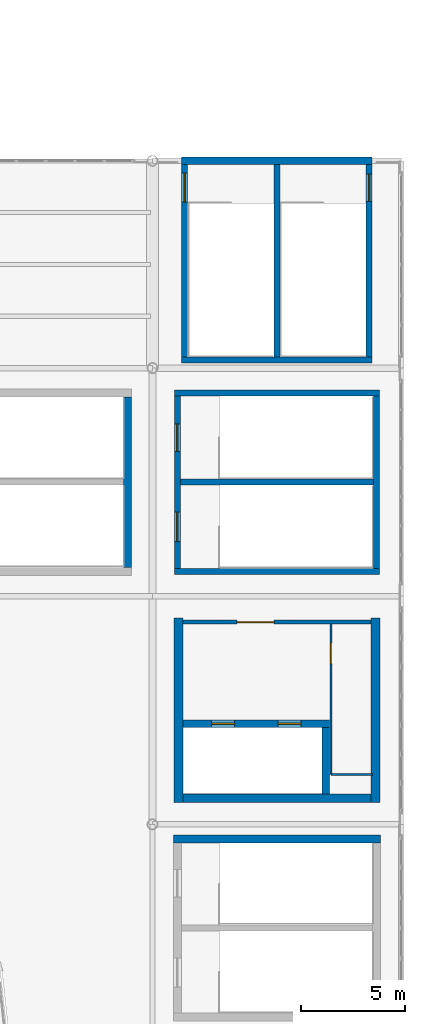
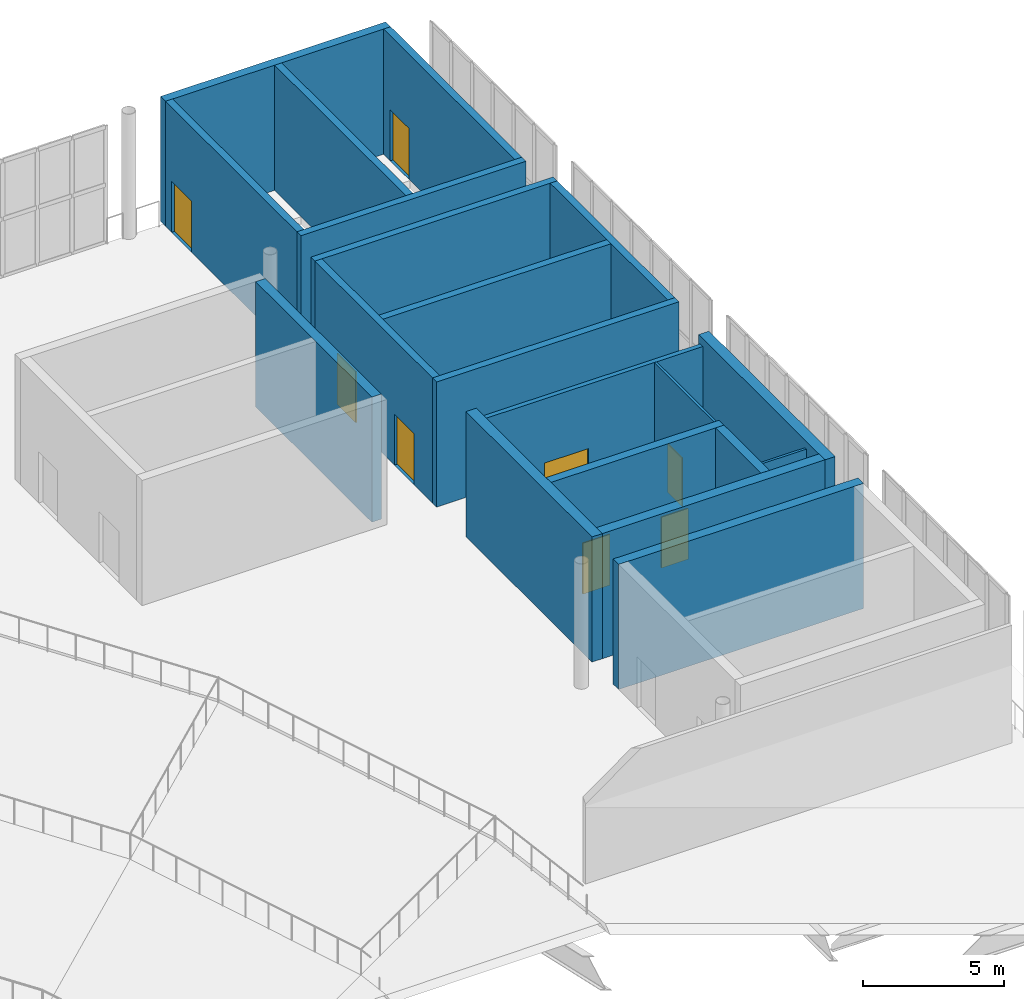
# One storey, part 57 of 74: 20 walls, 8 doors, 8 openings.
"""IFC4 building model written with IfcOpenShell, lengths in metres."""

from ifc_helpers import new_model, si_unit, direction, frame, frame_2d, origin, place, context, subcontext, project, spatial, rectangle, extrude, material, layer, layer_set, type_object, element, fill, save


model = new_model("IFC4")

# Units and contexts
model_context = context("Model", 3, precision=1e-05, world=origin(), true_north=direction((0.0, 1.0)))
body_context = subcontext(model_context, "Body", "Model", "MODEL_VIEW")
ifc_project = project(units=[si_unit("LENGTHUNIT", "METRE"), si_unit("AREAUNIT", "SQUARE_METRE"), si_unit("VOLUMEUNIT", "CUBIC_METRE"), si_unit("PLANEANGLEUNIT", "RADIAN"), si_unit("MASSUNIT", "GRAM", prefix="KILO")], contexts=[model_context])

# Site, building, storey
site_placement = place(None, origin())
site = spatial("IfcSite", under=ifc_project, at=site_placement, CompositionType="ELEMENT")
building_placement = place(site_placement, origin())
building = spatial("IfcBuilding", under=site, at=building_placement, Name="Brinegate Civic Arena", CompositionType="ELEMENT")
storey_placement = place(building_placement, frame((0.0, 0.0, 19.199951171875)))
storey = spatial("IfcBuildingStorey", under=building, at=storey_placement, Name="L04", CompositionType="ELEMENT", Elevation=19.199951171875)

# Wall, openings, doors
ifc_material_1 = material(Name="Concrete C50/60", Category="concrete")
ifc_layer_1 = layer(ifc_material_1, 0.35009765625, Name="Concrete C50/60")
ifc_layer_set_1 = layer_set([ifc_layer_1], Name="Concrete C50/60")
wall_type_1 = type_object("IfcWallType", Name="WALL-CORE-SHEAR-350", PredefinedType="SHEAR", material=ifc_layer_set_1)
wall_1_placement = place(storey_placement, frame((157.4599609375, 86.85009765625, 0.0), z_axis=(0.0, 0.0, 1.0), x_axis=(1.0, 0.0, 0.0)))
wall_1 = element("IfcWall", 1, at=wall_1_placement, inside=storey, type_object=wall_type_1, Name="Core K5 Lift Shaft Front Wall L04 (WBH-75)", PredefinedType="SHEAR", context=body_context, shape_type="SweptSolid", body=[
    extrude(rectangle(XDim=7.06494140625, YDim=0.35009765625, at=frame_2d((3.532470703125, 0.0))), origin(), (0.0, 0.0, 1.0), 5.400146484375),
])
opening_1_placement = place(wall_1_placement, frame((1.389892578125, 0.0, 0.0)))
opening_1 = element("IfcOpeningElement", 2, at=opening_1_placement, cuts=wall_1, Name="Opening LD-PL7-L04", PredefinedType="OPENING", context=body_context, shape_type="SweptSolid", body=[
    extrude(rectangle(XDim=1.10009765625, YDim=2.199951171875, at=frame_2d((0.550048828125, 1.10009765625))), frame((0.0, 0.18505859375, 0.0), z_axis=(0.0, -1.0, 0.0), x_axis=(1.0, 0.0, 0.0)), (0.0, 0.0, 1.0), 0.3701171875),
])
opening_2_placement = place(wall_1_placement, frame((4.590087890625, 0.0, 0.0)))
opening_2 = element("IfcOpeningElement", 3, at=opening_2_placement, cuts=wall_1, Name="Opening LD-PL8-L04", PredefinedType="OPENING", context=body_context, shape_type="SweptSolid", body=[
    extrude(rectangle(XDim=1.10009765625, YDim=2.199951171875, at=frame_2d((0.550048828125, 1.10009765625))), frame((0.0, 0.18505859375, 0.0), z_axis=(0.0, -1.0, 0.0), x_axis=(1.0, 0.0, 0.0)), (0.0, 0.0, 1.0), 0.3701171875),
])
ifc_material_2 = material(Name="Architectural stainless steel balustrade", Category="steel")
door_type_1 = type_object("IfcDoorType", Name="DOOR-LIFT-1100X2200", OperationType="SLIDING_TO_LEFT", PredefinedType="DOOR", material=ifc_material_2)
door_1_placement = place(opening_1_placement, origin())
door_1 = element("IfcDoor", 4, at=door_1_placement, inside=storey, type_object=door_type_1, Name="Sliding Lift Landing Door LD-PL7-L04", OperationType="SLIDING_TO_LEFT", OverallHeight=2.199951171875, OverallWidth=1.10009765625, PredefinedType="DOOR", context=body_context, shape_type="SweptSolid", body=[
    extrude(rectangle(XDim=1.10009765625, YDim=2.199951171875, at=frame_2d((0.550048828125, 1.10009765625))), frame((0.0, 0.02490234375, 0.0), z_axis=(0.0, -1.0, 0.0), x_axis=(1.0, 0.0, 0.0)), (0.0, 0.0, 1.0), 0.050048828125),
])
fill(opening_1, door_1)
door_2_placement = place(opening_2_placement, origin())
door_2 = element("IfcDoor", 5, at=door_2_placement, inside=storey, type_object=door_type_1, Name="Sliding Lift Landing Door LD-PL8-L04", OperationType="SLIDING_TO_LEFT", OverallHeight=2.199951171875, OverallWidth=1.10009765625, PredefinedType="DOOR", context=body_context, shape_type="SweptSolid", body=[
    extrude(rectangle(XDim=1.10009765625, YDim=2.199951171875, at=frame_2d((0.550048828125, 1.10009765625))), frame((0.0, 0.02490234375, 0.0), z_axis=(0.0, -1.0, 0.0), x_axis=(1.0, 0.0, 0.0)), (0.0, 0.0, 1.0), 0.050048828125),
])
fill(opening_2, door_2)

# Walls
wall_2_placement = place(storey_placement, frame((164.35009765625, 83.4599609375, 0.0), z_axis=(0.0, 0.0, 1.0), x_axis=(0.0, 1.0, 0.0)))
element("IfcWall", 6, at=wall_2_placement, inside=storey, type_object=wall_type_1, Name="Core K5 Lift Shaft End Wall L04 (WBH-76)", PredefinedType="SHEAR", context=body_context, shape_type="SweptSolid", body=[
    extrude(rectangle(XDim=3.215087890625, YDim=0.35009765625, at=frame_2d((1.607421875, 0.0))), origin(), (0.0, 0.0, 1.0), 5.400146484375),
])
ifc_layer_2 = layer(ifc_material_1, 0.389892578125, Name="Concrete C50/60")
ifc_layer_set_2 = layer_set([ifc_layer_2], Name="Concrete C50/60")
wall_type_2 = type_object("IfcWallType", Name="WALL-CORE-SHEAR-390", PredefinedType="SHEAR", material=ifc_layer_set_2)
wall_3_placement = place(storey_placement, frame((157.0048828125, 81.300048828125, 0.0), z_axis=(0.0, 0.0, 1.0), x_axis=(1.0, 0.0, 0.0)))
element("IfcWall", 7, at=wall_3_placement, inside=storey, type_object=wall_type_2, Name="Stair ST-09 North Shear Wall L04 (WBD-50)", PredefinedType="SHEAR", context=body_context, shape_type="SweptSolid", body=[
    extrude(rectangle(XDim=9.990234375, YDim=0.389892578125, at=frame_2d((4.9951171875, 0.0))), origin(), (0.0, 0.0, 1.0), 5.400146484375),
])
wall_4_placement = place(storey_placement, frame((154.800048828125, 94.39501953125, 0.0), z_axis=(0.0, 0.0, 1.0), x_axis=(0.0, 1.0, 0.0)))
element("IfcWall", 8, at=wall_4_placement, inside=storey, type_object=wall_type_2, Name="Stair ST-18 East Shear Wall L04 (WBL-24)", PredefinedType="SHEAR", context=body_context, shape_type="SweptSolid", body=[
    extrude(rectangle(XDim=8.2099609375, YDim=0.389892578125, at=frame_2d((4.10498046875, 0.0))), origin(), (0.0, 0.0, 1.0), 5.400146484375),
])
ifc_layer_3 = layer(ifc_material_1, 0.419921875, Name="Concrete C50/60")
ifc_layer_set_3 = layer_set([ifc_layer_3], Name="Concrete C50/60")
wall_type_3 = type_object("IfcWallType", Name="WALL-CORE-SHEAR-420", PredefinedType="SHEAR", material=ifc_layer_set_3)
for number, where, z_axis, x_axis, name in (
    (9, (157.25, 83.0400390625, 0.0), (0.0, 0.0, 1.0), (0.0, 1.0, 0.0), "Core K5 West Shear Wall L04 (WBH-72)"),
    (10, (166.75, 83.0400390625, 0.0), (0.0, 0.0, 1.0), (0.0, 1.0, 0.0), "Core K5 East Shear Wall L04 (WBH-73)"),
):
    element("IfcWall", number, at=place(storey_placement, frame(where, z_axis=z_axis, x_axis=x_axis)), inside=storey, type_object=wall_type_3, Name=name, PredefinedType="SHEAR", context=body_context, shape_type="SweptSolid", body=[
        extrude(rectangle(XDim=8.919921875, YDim=0.419921875, at=frame_2d((4.4599609375, 0.0))), origin(), (0.0, 0.0, 1.0), 5.400146484375),
    ])
wall_5_placement = place(storey_placement, frame((157.4599609375, 83.25, 0.0), z_axis=(0.0, 0.0, 1.0), x_axis=(1.0, 0.0, 0.0)))
element("IfcWall", 11, at=wall_5_placement, inside=storey, type_object=wall_type_3, Name="Core K5 South Shear Wall L04 (WBH-74)", PredefinedType="SHEAR", context=body_context, shape_type="SweptSolid", body=[
    extrude(rectangle(XDim=9.080078125, YDim=0.419921875, at=frame_2d((4.5400390625, 0.0))), origin(), (0.0, 0.0, 1.0), 5.400146484375),
])
ifc_layer_4 = layer(ifc_material_1, 0.35009765625, Name="Concrete C50/60")
ifc_layer_set_4 = layer_set([ifc_layer_4], Name="Concrete C50/60")
wall_type_4 = type_object("IfcWallType", Name="WALL-EXT-STAIR-SHEAR-350", PredefinedType="SHEAR", material=ifc_layer_set_4)
wall_6_placement = place(storey_placement, frame((157.405029296875, 114.0, 0.0), z_axis=(0.0, 0.0, 1.0), x_axis=(1.0, 0.0, 0.0)))
element("IfcWall", 12, at=wall_6_placement, inside=storey, type_object=wall_type_4, Name="Stair ST-05 North Shear Wall L04 (WBC-39)", PredefinedType="SHEAR", context=body_context, shape_type="SweptSolid", body=[
    extrude(rectangle(XDim=9.18994140625, YDim=0.35009765625, at=frame_2d((4.594970703125, 0.0))), origin(), (0.0, 0.0, 1.0), 5.400146484375),
])

# Wall, opening, door
ifc_material_3 = material(Name="Concrete blockwork masonry", Category="masonry")
ifc_layer_5 = layer(ifc_material_3, 0.18994140625, Name="Concrete blockwork masonry")
ifc_layer_set_5 = layer_set([ifc_layer_5], Name="Concrete blockwork masonry")
wall_type_5 = type_object("IfcWallType", Name="WALL-PART-RATED-190", PredefinedType="PARTITIONING", material=ifc_layer_set_5)
wall_7_placement = place(storey_placement, frame((157.469970703125, 91.75, 0.0), z_axis=(0.0, 0.0, 1.0), x_axis=(1.0, 0.0, 0.0)))
wall_7 = element("IfcWall", 13, at=wall_7_placement, inside=storey, type_object=wall_type_5, Name="Core K5 Concourse Lobby Wall L04 (WBH-77)", PredefinedType="PARTITIONING", context=body_context, shape_type="SweptSolid", body=[
    extrude(rectangle(XDim=9.06005859375, YDim=0.18994140625, at=frame_2d((4.530029296875, 0.0))), origin(), (0.0, 0.0, 1.0), 5.070068359375),
])
opening_3_placement = place(wall_7_placement, frame((2.60009765625, 0.0, 0.0)))
opening_3 = element("IfcOpeningElement", 14, at=opening_3_placement, cuts=wall_7, Name="Opening D-K5L-L04", PredefinedType="OPENING", context=body_context, shape_type="SweptSolid", body=[
    extrude(rectangle(XDim=1.800048828125, YDim=2.300048828125, at=frame_2d((0.89990234375, 1.14990234375))), frame((0.0, 0.10498046875, 0.0), z_axis=(0.0, -1.0, 0.0), x_axis=(1.0, 0.0, 0.0)), (0.0, 0.0, 1.0), 0.2099609375),
])
ifc_material_4 = material(Name="Marine grade aluminium", Category="aluminium")
door_type_2 = type_object("IfcDoorType", Name="DOOR-CONC-1800X2300", OperationType="NOTDEFINED", PredefinedType="DOOR", material=ifc_material_4)
door_3_placement = place(opening_3_placement, origin())
door_3 = element("IfcDoor", 15, at=door_3_placement, inside=storey, type_object=door_type_2, Name="Lift Lobby Door D-K5L-L04", OperationType="DOUBLE_DOOR_SINGLE_SWING", OverallHeight=2.300048828125, OverallWidth=1.800048828125, PredefinedType="DOOR", context=body_context, shape_type="SweptSolid", body=[
    extrude(rectangle(XDim=1.800048828125, YDim=2.300048828125, at=frame_2d((0.89990234375, 1.14990234375))), frame((0.0, 0.02490234375, 0.0), z_axis=(0.0, -1.0, 0.0), x_axis=(1.0, 0.0, 0.0)), (0.0, 0.0, 1.0), 0.050048828125),
])
fill(opening_3, door_3)

ifc_layer_6 = layer(ifc_material_3, 0.10009765625, Name="Concrete blockwork masonry")
ifc_layer_set_6 = layer_set([ifc_layer_6], Name="Concrete blockwork masonry")
wall_type_6 = type_object("IfcWallType", Name="WALL-PART-WET-100", PredefinedType="PARTITIONING", material=ifc_layer_set_6)
wall_8_placement = place(storey_placement, frame((164.60009765625, 84.39990234375, 0.0), z_axis=(0.0, 0.0, 1.0), x_axis=(0.0, 1.0, 0.0)))
wall_8 = element("IfcWall", 16, at=wall_8_placement, inside=storey, type_object=wall_type_6, Name="Accessible WC K5 Partition L04 (WBH-78)", PredefinedType="PARTITIONING", context=body_context, shape_type="SweptSolid", body=[
    extrude(rectangle(XDim=7.25, YDim=0.10009765625, at=frame_2d((3.625, 0.0))), origin(), (0.0, 0.0, 1.0), 5.070068359375),
])
opening_4_placement = place(wall_8_placement, frame((5.35009765625, 0.0, 0.0)))
opening_4 = element("IfcOpeningElement", 17, at=opening_4_placement, cuts=wall_8, Name="Opening D-K5W-L04", PredefinedType="OPENING", context=body_context, shape_type="SweptSolid", body=[
    extrude(rectangle(XDim=1.0, YDim=2.10009765625, at=frame_2d((0.5, 1.050048828125))), frame((0.0, 0.06005859375, 0.0), z_axis=(0.0, -1.0, 0.0), x_axis=(1.0, 0.0, 0.0)), (0.0, 0.0, 1.0), 0.1201171875),
])
ifc_material_5 = material(Name="Hardwood acoustic timber door", Category="wood")
door_type_3 = type_object("IfcDoorType", Name="DOOR-AWC-1000X2100", OperationType="NOTDEFINED", PredefinedType="DOOR", material=ifc_material_5)
door_4_placement = place(opening_4_placement, origin())
door_4 = element("IfcDoor", 18, at=door_4_placement, inside=storey, type_object=door_type_3, Name="Accessible WC Door D-K5W-L04", OperationType="SINGLE_SWING_RIGHT", OverallHeight=2.10009765625, OverallWidth=1.0, PredefinedType="DOOR", context=body_context, shape_type="SweptSolid", body=[
    extrude(rectangle(XDim=1.0, YDim=2.10009765625, at=frame_2d((0.5, 1.050048828125))), frame((0.0, 0.02490234375, 0.0), z_axis=(0.0, -1.0, 0.0), x_axis=(1.0, 0.0, 0.0)), (0.0, 0.0, 1.0), 0.050048828125),
])
fill(opening_4, door_4)

# Walls
wall_9_placement = place(storey_placement, frame((164.60009765625, 84.39990234375, 0.0), z_axis=(0.0, 0.0, 1.0), x_axis=(1.0, 0.0, 0.0)))
element("IfcWall", 19, at=wall_9_placement, inside=storey, type_object=wall_type_6, Name="Accessible WC K5 Back Partition L04 (WBH-79)", PredefinedType="PARTITIONING", context=body_context, shape_type="SweptSolid", body=[
    extrude(rectangle(XDim=2.0, YDim=0.10009765625, at=frame_2d((1.0, 0.0))), origin(), (0.0, 0.0, 1.0), 5.070068359375),
])
ifc_layer_7 = layer(ifc_material_1, 0.2900390625, Name="Concrete C50/60")
ifc_layer_set_7 = layer_set([ifc_layer_7], Name="Concrete C50/60")
wall_type_7 = type_object("IfcWallType", Name="WALL-STAIR-SHEAR-290", PredefinedType="SHEAR", material=ifc_layer_set_7)
wall_10_placement = place(storey_placement, frame((157.405029296875, 104.39990234375, 0.0), z_axis=(0.0, 0.0, 1.0), x_axis=(1.0, 0.0, 0.0)))
element("IfcWall", 20, at=wall_10_placement, inside=storey, type_object=wall_type_7, Name="Stair ST-05 South Shear Wall L04 (WBC-38)", PredefinedType="SHEAR", context=body_context, shape_type="SweptSolid", body=[
    extrude(rectangle(XDim=9.18994140625, YDim=0.2900390625, at=frame_2d((4.594970703125, 0.0))), origin(), (0.0, 0.0, 1.0), 5.400146484375),
])

# Wall, opening, door
wall_11_placement = place(storey_placement, frame((157.550048828125, 104.544921875, 0.0), z_axis=(0.0, 0.0, 1.0), x_axis=(0.0, 1.0, 0.0)))
wall_11 = element("IfcWall", 21, at=wall_11_placement, inside=storey, type_object=wall_type_7, Name="Stair ST-05 West Shear Wall L04 (WBC-40)", PredefinedType="SHEAR", context=body_context, shape_type="SweptSolid", body=[
    extrude(rectangle(XDim=9.280029296875, YDim=0.2900390625, at=frame_2d((4.64013671875, 0.0))), origin(), (0.0, 0.0, 1.0), 5.400146484375),
])
opening_5_placement = place(wall_11_placement, frame((7.455078125, 0.0, 0.0)))
opening_5 = element("IfcOpeningElement", 22, at=opening_5_placement, cuts=wall_11, Name="Opening D-ST05A-L04", PredefinedType="OPENING", context=body_context, shape_type="SweptSolid", body=[
    extrude(rectangle(XDim=1.39990234375, YDim=2.199951171875, at=frame_2d((0.699951171875, 1.10009765625))), frame((0.0, 0.155029296875, 0.0), z_axis=(0.0, -1.0, 0.0), x_axis=(1.0, 0.0, 0.0)), (0.0, 0.0, 1.0), 0.31005859375),
])
ifc_material_6 = material(Name="Galvanized hurricane steel", Category="steel")
door_type_4 = type_object("IfcDoorType", Name="DOOR-STAIR-2400X2200", OperationType="NOTDEFINED", PredefinedType="DOOR", material=ifc_material_6)
door_5_placement = place(opening_5_placement, frame((1.39990234375, 0.0, 0.0), z_axis=(0.0, 0.0, 1.0), x_axis=(-1.0, 0.0, 0.0)))
door_5 = element("IfcDoor", 23, at=door_5_placement, inside=storey, type_object=door_type_4, Name="Protected Exit Stair Door D-ST05A-L04", OperationType="DOUBLE_DOOR_SINGLE_SWING", OverallHeight=2.199951171875, OverallWidth=1.39990234375, PredefinedType="DOOR", context=body_context, shape_type="SweptSolid", body=[
    extrude(rectangle(XDim=1.39990234375, YDim=2.199951171875, at=frame_2d((0.699951171875, 1.10009765625))), frame((0.0, 0.02490234375, 0.0), z_axis=(0.0, -1.0, 0.0), x_axis=(1.0, 0.0, 0.0)), (0.0, 0.0, 1.0), 0.050048828125),
])
fill(opening_5, door_5)

wall_12_placement = place(storey_placement, frame((166.449951171875, 104.544921875, 0.0), z_axis=(0.0, 0.0, 1.0), x_axis=(0.0, 1.0, 0.0)))
wall_12 = element("IfcWall", 24, at=wall_12_placement, inside=storey, type_object=wall_type_7, Name="Stair ST-05 East Shear Wall L04 (WBC-41)", PredefinedType="SHEAR", context=body_context, shape_type="SweptSolid", body=[
    extrude(rectangle(XDim=9.280029296875, YDim=0.2900390625, at=frame_2d((4.64013671875, 0.0))), origin(), (0.0, 0.0, 1.0), 5.400146484375),
])
opening_6_placement = place(wall_12_placement, frame((7.4951171875, 0.0, 0.0)))
opening_6 = element("IfcOpeningElement", 25, at=opening_6_placement, cuts=wall_12, Name="Opening D-ST05B-L04", PredefinedType="OPENING", context=body_context, shape_type="SweptSolid", body=[
    extrude(rectangle(XDim=1.320068359375, YDim=2.199951171875, at=frame_2d((0.66015625, 1.10009765625))), frame((0.0, 0.155029296875, 0.0), z_axis=(0.0, -1.0, 0.0), x_axis=(1.0, 0.0, 0.0)), (0.0, 0.0, 1.0), 0.31005859375),
])
door_type_5 = type_object("IfcDoorType", Name="DOOR-STAIR-2200X2200", OperationType="NOTDEFINED", PredefinedType="DOOR", material=ifc_material_6)
door_6_placement = place(opening_6_placement, origin())
door_6 = element("IfcDoor", 26, at=door_6_placement, inside=storey, type_object=door_type_5, Name="Protected Exit Stair Door D-ST05B-L04", OperationType="DOUBLE_DOOR_SINGLE_SWING", OverallHeight=2.199951171875, OverallWidth=1.320068359375, PredefinedType="DOOR", context=body_context, shape_type="SweptSolid", body=[
    extrude(rectangle(XDim=1.320068359375, YDim=2.199951171875, at=frame_2d((0.66015625, 1.10009765625))), frame((0.0, 0.02490234375, 0.0), z_axis=(0.0, -1.0, 0.0), x_axis=(1.0, 0.0, 0.0)), (0.0, 0.0, 1.0), 0.050048828125),
])
fill(opening_6, door_6)

# Walls
wall_13_placement = place(storey_placement, frame((162.0, 104.544921875, 0.0), z_axis=(0.0, 0.0, 1.0), x_axis=(0.0, 1.0, 0.0)))
element("IfcWall", 27, at=wall_13_placement, inside=storey, type_object=wall_type_7, Name="Stair ST-05 Central Dividing Shear Wall L04 (WBC-42)", PredefinedType="SHEAR", context=body_context, shape_type="SweptSolid", body=[
    extrude(rectangle(XDim=9.280029296875, YDim=0.2900390625, at=frame_2d((4.64013671875, 0.0))), origin(), (0.0, 0.0, 1.0), 5.400146484375),
])
for number, where, z_axis, x_axis, name in (
    (28, (157.054931640625, 94.199951171875, 0.0), (0.0, 0.0, 1.0), (1.0, 0.0, 0.0), "Stair ST-20 South Shear Wall L04 (WBL-71)"),
    (29, (157.054931640625, 102.800048828125, 0.0), (0.0, 0.0, 1.0), (1.0, 0.0, 0.0), "Stair ST-20 North Shear Wall L04 (WBL-72)"),
):
    element("IfcWall", number, at=place(storey_placement, frame(where, z_axis=z_axis, x_axis=x_axis)), inside=storey, type_object=wall_type_7, Name=name, PredefinedType="SHEAR", context=body_context, shape_type="SweptSolid", body=[
        extrude(rectangle(XDim=9.89013671875, YDim=0.2900390625, at=frame_2d((4.945068359375, 0.0))), origin(), (0.0, 0.0, 1.0), 5.400146484375),
    ])

# Wall, openings, doors
wall_14_placement = place(storey_placement, frame((157.199951171875, 94.344970703125, 0.0), z_axis=(0.0, 0.0, 1.0), x_axis=(0.0, 1.0, 0.0)))
wall_14 = element("IfcWall", 30, at=wall_14_placement, inside=storey, type_object=wall_type_7, Name="Stair ST-20 West Shear Wall L04 (WBL-73)", PredefinedType="SHEAR", context=body_context, shape_type="SweptSolid", body=[
    extrude(rectangle(XDim=8.31005859375, YDim=0.2900390625, at=frame_2d((4.155029296875, 0.0))), origin(), (0.0, 0.0, 1.0), 5.400146484375),
])
opening_7_placement = place(wall_14_placement, frame((1.304931640625, 0.0, 0.0)))
opening_7 = element("IfcOpeningElement", 31, at=opening_7_placement, cuts=wall_14, Name="Opening D-ST20A-L04", PredefinedType="OPENING", context=body_context, shape_type="SweptSolid", body=[
    extrude(rectangle(XDim=1.39990234375, YDim=2.199951171875, at=frame_2d((0.699951171875, 1.10009765625))), frame((0.0, 0.155029296875, 0.0), z_axis=(0.0, -1.0, 0.0), x_axis=(1.0, 0.0, 0.0)), (0.0, 0.0, 1.0), 0.31005859375),
])
opening_8_placement = place(wall_14_placement, frame((5.64501953125, 0.0, 0.0)))
opening_8 = element("IfcOpeningElement", 32, at=opening_8_placement, cuts=wall_14, Name="Opening D-ST20B-L04", PredefinedType="OPENING", context=body_context, shape_type="SweptSolid", body=[
    extrude(rectangle(XDim=1.320068359375, YDim=2.199951171875, at=frame_2d((0.66015625, 1.10009765625))), frame((0.0, 0.155029296875, 0.0), z_axis=(0.0, -1.0, 0.0), x_axis=(1.0, 0.0, 0.0)), (0.0, 0.0, 1.0), 0.31005859375),
])
door_7_placement = place(opening_8_placement, origin())
door_7 = element("IfcDoor", 33, at=door_7_placement, inside=storey, type_object=door_type_5, Name="Protected Exit Stair Door D-ST20B-L04", OperationType="DOUBLE_DOOR_SINGLE_SWING", OverallHeight=2.199951171875, OverallWidth=1.320068359375, PredefinedType="DOOR", context=body_context, shape_type="SweptSolid", body=[
    extrude(rectangle(XDim=1.320068359375, YDim=2.199951171875, at=frame_2d((0.66015625, 1.10009765625))), frame((0.0, 0.02490234375, 0.0), z_axis=(0.0, -1.0, 0.0), x_axis=(1.0, 0.0, 0.0)), (0.0, 0.0, 1.0), 0.050048828125),
])
fill(opening_8, door_7)
door_8_placement = place(opening_7_placement, origin())
door_8 = element("IfcDoor", 34, at=door_8_placement, inside=storey, type_object=door_type_4, Name="Protected Exit Stair Door D-ST20A-L04", OperationType="DOUBLE_DOOR_SINGLE_SWING", OverallHeight=2.199951171875, OverallWidth=1.39990234375, PredefinedType="DOOR", context=body_context, shape_type="SweptSolid", body=[
    extrude(rectangle(XDim=1.39990234375, YDim=2.199951171875, at=frame_2d((0.699951171875, 1.10009765625))), frame((0.0, 0.02490234375, 0.0), z_axis=(0.0, -1.0, 0.0), x_axis=(1.0, 0.0, 0.0)), (0.0, 0.0, 1.0), 0.050048828125),
])
fill(opening_7, door_8)

# Walls
wall_15_placement = place(storey_placement, frame((166.800048828125, 94.344970703125, 0.0), z_axis=(0.0, 0.0, 1.0), x_axis=(0.0, 1.0, 0.0)))
element("IfcWall", 35, at=wall_15_placement, inside=storey, type_object=wall_type_7, Name="Stair ST-20 East Shear Wall L04 (WBL-74)", PredefinedType="SHEAR", context=body_context, shape_type="SweptSolid", body=[
    extrude(rectangle(XDim=8.31005859375, YDim=0.2900390625, at=frame_2d((4.155029296875, 0.0))), origin(), (0.0, 0.0, 1.0), 5.400146484375),
])
wall_16_placement = place(storey_placement, frame((157.344970703125, 98.5, 0.0), z_axis=(0.0, 0.0, 1.0), x_axis=(1.0, 0.0, 0.0)))
element("IfcWall", 36, at=wall_16_placement, inside=storey, type_object=wall_type_7, Name="Stair ST-20 Central Dividing Shear Wall L04 (WBL-75)", PredefinedType="SHEAR", context=body_context, shape_type="SweptSolid", body=[
    extrude(rectangle(XDim=9.31005859375, YDim=0.2900390625, at=frame_2d((4.655029296875, 0.0))), origin(), (0.0, 0.0, 1.0), 5.400146484375),
])

save(model, "model.ifc")
